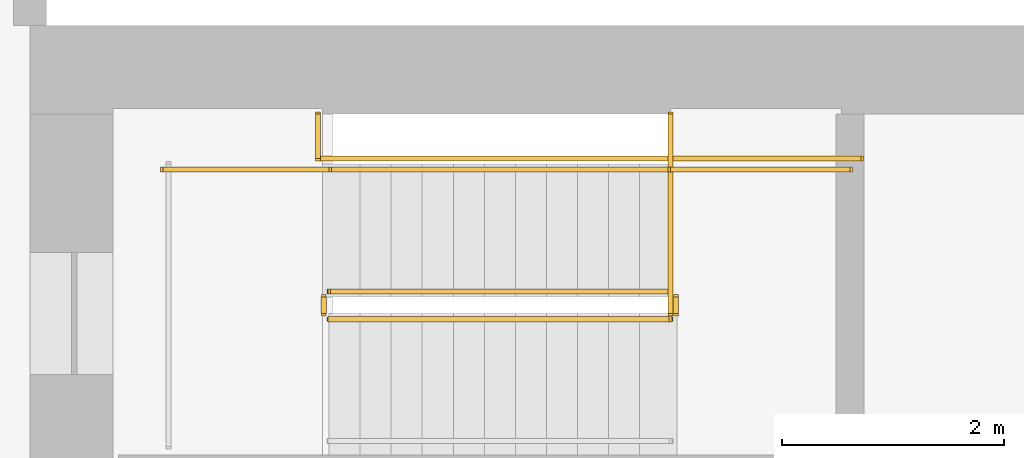
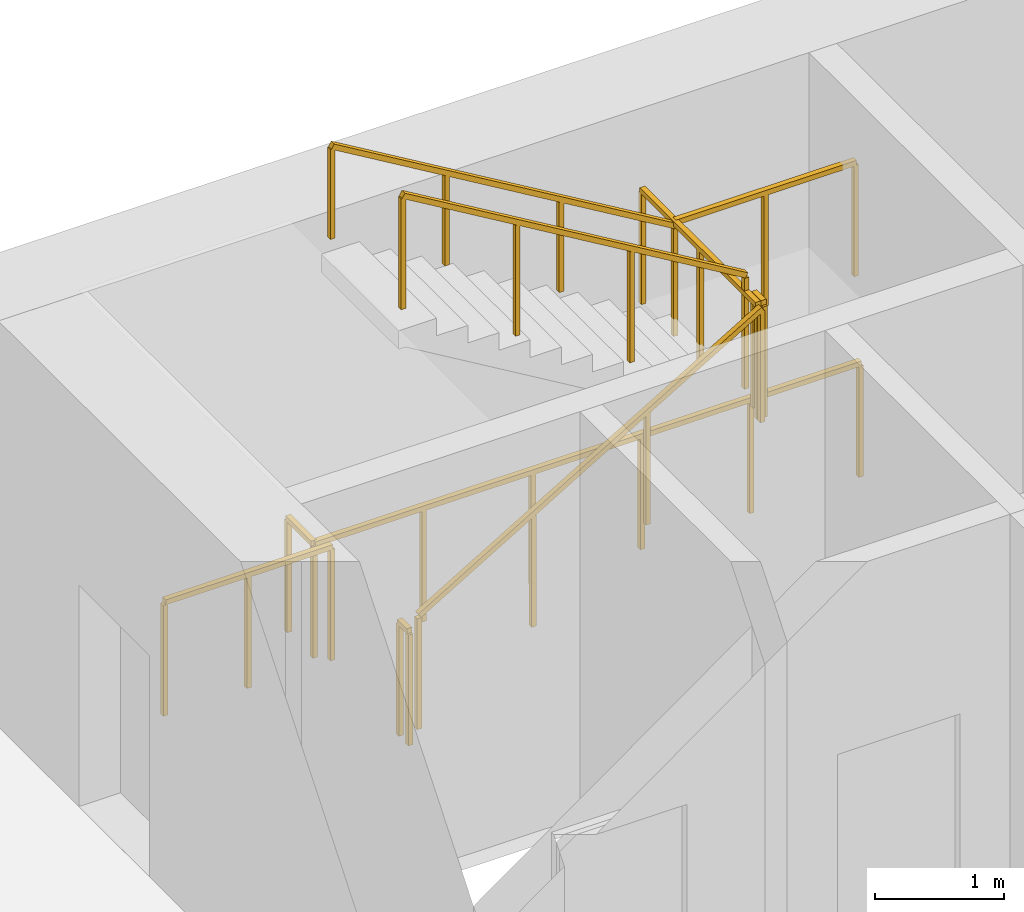
# One storey, part 12 of 12: 10 railings.
"""IFC4 building model written with IfcOpenShell, lengths in metres."""

from ifc_helpers import new_model, si_unit, direction, frame, origin, origin_2d, place, context, subcontext, project, spatial, rectangle, extrude, material, type_object, element, save


model = new_model("IFC4")

# Units and contexts
model_context = context("Model", 3, precision=1e-05, world=origin(), true_north=direction((0.0, 1.0)))
body_context = subcontext(model_context, "Body", "Model", "MODEL_VIEW")
ifc_project = project(units=[si_unit("LENGTHUNIT", "METRE"), si_unit("AREAUNIT", "SQUARE_METRE"), si_unit("VOLUMEUNIT", "CUBIC_METRE"), si_unit("PLANEANGLEUNIT", "RADIAN"), si_unit("MASSUNIT", "GRAM", prefix="KILO")], contexts=[model_context])

# Site, building, storey
site_placement = place(None, origin())
site = spatial("IfcSite", under=ifc_project, at=site_placement, CompositionType="ELEMENT")
building_placement = place(site_placement, origin())
building = spatial("IfcBuilding", under=site, at=building_placement, Name="Sennacour Bend Tower", CompositionType="ELEMENT")
storey_placement = place(building_placement, frame((0.0, 0.0, 261.0)))
storey = spatial("IfcBuildingStorey", under=building, at=storey_placement, Name="L60", CompositionType="ELEMENT", Elevation=261.0)

# Railings
ifc_material = material(Name="Stainless steel", Category="steel")
railing_type_1 = type_object("IfcRailingType", Name="RL-GUARD-1100", PredefinedType="GUARDRAIL", material=ifc_material)
railing_1_placement = place(storey_placement, frame((56.699951171875, 19.85009765625, 0.166748046875)))
element("IfcRailing", 1, at=railing_1_placement, inside=storey, type_object=railing_type_1, Name="L60 SA2 stair guard 1", PredefinedType="GUARDRAIL", context=body_context, shape_type="SweptSolid", body=[
    extrude(rectangle(XDim=0.048095703125, YDim=0.048095703125, at=origin_2d()), frame((0.0, 0.0, 1.076171875), z_axis=(0.859308565015, 0.0, 0.511457515432), x_axis=(0.0, 1.0, 0.0)), (0.0, 0.0, 1.0), 3.58447265625),
    extrude(rectangle(XDim=0.0419921875, YDim=0.0419921875, at=origin_2d()), origin(), (0.0, 0.0, 1.0), 1.052001953125),
    extrude(rectangle(XDim=0.0419921875, YDim=0.0419921875, at=origin_2d()), frame((1.026611328125, 0.0, 0.611083984375)), (0.0, 0.0, 1.0), 1.052001953125),
    extrude(rectangle(XDim=0.0419921875, YDim=0.0419921875, at=origin_2d()), frame((2.053466796875, 0.0, 1.22216796875)), (0.0, 0.0, 1.0), 1.052001953125),
    extrude(rectangle(XDim=0.0419921875, YDim=0.0419921875, at=origin_2d()), frame((3.080078125, 0.0, 1.833251953125)), (0.0, 0.0, 1.0), 1.052001953125),
])
railing_2_placement = place(storey_placement, frame((59.830078125, 19.89990234375, 2.0)))
element("IfcRailing", 2, at=railing_2_placement, inside=storey, type_object=railing_type_1, Name="L60 SA2 stair guard 2", PredefinedType="GUARDRAIL", context=body_context, shape_type="SweptSolid", body=[
    extrude(rectangle(XDim=0.048095703125, YDim=0.048095703125, at=origin_2d()), frame((0.0, 0.0, 1.076171875), z_axis=(0.0, 1.0, 0.0), x_axis=(-1.0, 0.0, 0.0)), (0.0, 0.0, 1.0), 0.150146484375),
    extrude(rectangle(XDim=0.0419921875, YDim=0.0419921875, at=origin_2d()), origin(), (0.0, 0.0, 1.0), 1.052001953125),
    extrude(rectangle(XDim=0.0419921875, YDim=0.0419921875, at=origin_2d()), frame((0.0, 0.150146484375, 0.0)), (0.0, 0.0, 1.0), 1.052001953125),
])
railing_3_placement = place(storey_placement, frame((59.780029296875, 21.199951171875, 2.0)))
element("IfcRailing", 3, at=railing_3_placement, inside=storey, type_object=railing_type_1, Name="L60 SA2 stair guard 3", PredefinedType="GUARDRAIL", context=body_context, shape_type="SweptSolid", body=[
    extrude(rectangle(XDim=0.048095703125, YDim=0.048095703125, at=origin_2d()), frame((0.0, 0.0, 1.076171875), z_axis=(1.0, 0.0, 0.0), x_axis=(0.0, 1.0, 0.0)), (0.0, 0.0, 1.0), 1.619873046875),
    extrude(rectangle(XDim=0.0419921875, YDim=0.0419921875, at=origin_2d()), origin(), (0.0, 0.0, 1.0), 1.052001953125),
    extrude(rectangle(XDim=0.0419921875, YDim=0.0419921875, at=origin_2d()), frame((0.81005859375, 0.0, 0.0)), (0.0, 0.0, 1.0), 1.052001953125),
    extrude(rectangle(XDim=0.0419921875, YDim=0.0419921875, at=origin_2d()), frame((1.619873046875, 0.0, 0.0)), (0.0, 0.0, 1.0), 1.052001953125),
])
railing_4_placement = place(storey_placement, frame((59.780029296875, 20.10009765625, 2.166748046875)))
element("IfcRailing", 4, at=railing_4_placement, inside=storey, type_object=railing_type_1, Name="L60 SA2 stair guard 4", PredefinedType="GUARDRAIL", context=body_context, shape_type="SweptSolid", body=[
    extrude(rectangle(XDim=0.048095703125, YDim=0.048095703125, at=origin_2d()), frame((0.0, 0.0, 1.076171875), z_axis=(-0.859308565015, 0.0, 0.511457515432), x_axis=(0.0, -1.0, 0.0)), (0.0, 0.0, 1.0), 3.58447265625),
    extrude(rectangle(XDim=0.0419921875, YDim=0.0419921875, at=origin_2d()), origin(), (0.0, 0.0, 1.0), 1.052001953125),
    extrude(rectangle(XDim=0.0419921875, YDim=0.0419921875, at=origin_2d()), frame((-1.026611328125, 0.0, 0.611083984375)), (0.0, 0.0, 1.0), 1.052001953125),
    extrude(rectangle(XDim=0.0419921875, YDim=0.0419921875, at=origin_2d()), frame((-2.053466796875, 0.0, 1.22216796875)), (0.0, 0.0, 1.0), 1.052001953125),
    extrude(rectangle(XDim=0.0419921875, YDim=0.0419921875, at=origin_2d()), frame((-3.080078125, 0.0, 1.833251953125)), (0.0, 0.0, 1.0), 1.052001953125),
])
railing_5_placement = place(storey_placement, frame((56.64990234375, 19.89990234375, 0.0)))
element("IfcRailing", 5, at=railing_5_placement, inside=storey, type_object=railing_type_1, Name="L60 SA2 stair guard 5", PredefinedType="GUARDRAIL", context=body_context, shape_type="SweptSolid", body=[
    extrude(rectangle(XDim=0.048095703125, YDim=0.048095703125, at=origin_2d()), frame((0.0, 0.0, 1.076171875), z_axis=(0.0, 1.0, 0.0), x_axis=(-1.0, 0.0, 0.0)), (0.0, 0.0, 1.0), 0.150146484375),
    extrude(rectangle(XDim=0.0419921875, YDim=0.0419921875, at=origin_2d()), origin(), (0.0, 0.0, 1.0), 1.052001953125),
    extrude(rectangle(XDim=0.0419921875, YDim=0.0419921875, at=origin_2d()), frame((0.0, 0.150146484375, 0.0)), (0.0, 0.0, 1.0), 1.052001953125),
])
railing_6_placement = place(storey_placement, frame((55.199951171875, 21.199951171875, 0.0)))
element("IfcRailing", 6, at=railing_6_placement, inside=storey, type_object=railing_type_1, Name="L60 SA2 stair guard 6", PredefinedType="GUARDRAIL", context=body_context, shape_type="SweptSolid", body=[
    extrude(rectangle(XDim=0.048095703125, YDim=0.048095703125, at=origin_2d()), frame((0.0, 0.0, 1.076171875), z_axis=(1.0, 0.0, 0.0), x_axis=(0.0, 1.0, 0.0)), (0.0, 0.0, 1.0), 1.5),
    extrude(rectangle(XDim=0.0419921875, YDim=0.0419921875, at=origin_2d()), origin(), (0.0, 0.0, 1.0), 1.052001953125),
    extrude(rectangle(XDim=0.0419921875, YDim=0.0419921875, at=origin_2d()), frame((0.75, 0.0, 0.0)), (0.0, 0.0, 1.0), 1.052001953125),
    extrude(rectangle(XDim=0.0419921875, YDim=0.0419921875, at=origin_2d()), frame((1.5, 0.0, 0.0)), (0.0, 0.0, 1.0), 1.052001953125),
])
railing_7_placement = place(storey_placement, frame((56.60009765625, 21.300048828125, 0.0)))
element("IfcRailing", 7, at=railing_7_placement, inside=storey, type_object=railing_type_1, Name="L60 SA2 stair guard 8", PredefinedType="GUARDRAIL", context=body_context, shape_type="SweptSolid", body=[
    extrude(rectangle(XDim=0.048095703125, YDim=0.048095703125, at=origin_2d()), frame((0.0, 0.0, 1.076171875), z_axis=(1.0, 0.0, 0.0), x_axis=(0.0, 1.0, 0.0)), (0.0, 0.0, 1.0), 4.89990234375),
    extrude(rectangle(XDim=0.0419921875, YDim=0.0419921875, at=origin_2d()), origin(), (0.0, 0.0, 1.0), 1.052001953125),
    extrude(rectangle(XDim=0.0419921875, YDim=0.0419921875, at=origin_2d()), frame((0.97998046875, 0.0, 0.0)), (0.0, 0.0, 1.0), 1.052001953125),
    extrude(rectangle(XDim=0.0419921875, YDim=0.0419921875, at=origin_2d()), frame((1.9599609375, 0.0, 0.0)), (0.0, 0.0, 1.0), 1.052001953125),
    extrude(rectangle(XDim=0.0419921875, YDim=0.0419921875, at=origin_2d()), frame((2.93994140625, 0.0, 0.0)), (0.0, 0.0, 1.0), 1.052001953125),
    extrude(rectangle(XDim=0.0419921875, YDim=0.0419921875, at=origin_2d()), frame((3.919921875, 0.0, 0.0)), (0.0, 0.0, 1.0), 1.052001953125),
    extrude(rectangle(XDim=0.0419921875, YDim=0.0419921875, at=origin_2d()), frame((4.89990234375, 0.0, 0.0)), (0.0, 0.0, 1.0), 1.052001953125),
])
railing_8_placement = place(storey_placement, frame((59.780029296875, 19.89990234375, 2.0)))
element("IfcRailing", 8, at=railing_8_placement, inside=storey, type_object=railing_type_1, Name="L60 SA2 landing edge guard 80", PredefinedType="GUARDRAIL", context=body_context, shape_type="SweptSolid", body=[
    extrude(rectangle(XDim=0.048095703125, YDim=0.048095703125, at=origin_2d()), frame((0.0, 0.0, 1.076171875), z_axis=(0.0, 1.0, 0.0), x_axis=(-1.0, 0.0, 0.0)), (0.0, 0.0, 1.0), 1.800048828125),
    extrude(rectangle(XDim=0.0419921875, YDim=0.0419921875, at=origin_2d()), origin(), (0.0, 0.0, 1.0), 1.052001953125),
    extrude(rectangle(XDim=0.0419921875, YDim=0.0419921875, at=origin_2d()), frame((0.0, 0.89990234375, 0.0)), (0.0, 0.0, 1.0), 1.052001953125),
    extrude(rectangle(XDim=0.0419921875, YDim=0.0419921875, at=origin_2d()), frame((0.0, 1.800048828125, 0.0)), (0.0, 0.0, 1.0), 1.052001953125),
])
railing_9_placement = place(storey_placement, frame((56.60009765625, 21.300048828125, 0.0)))
element("IfcRailing", 9, at=railing_9_placement, inside=storey, type_object=railing_type_1, Name="L60 SA2 landing edge guard 114", PredefinedType="GUARDRAIL", context=body_context, shape_type="SweptSolid", body=[
    extrude(rectangle(XDim=0.048095703125, YDim=0.048095703125, at=origin_2d()), frame((0.0, 0.0, 1.076171875), z_axis=(0.0, 1.0, 0.0), x_axis=(-1.0, 0.0, 0.0)), (0.0, 0.0, 1.0), 0.39990234375),
    extrude(rectangle(XDim=0.0419921875, YDim=0.0419921875, at=origin_2d()), origin(), (0.0, 0.0, 1.0), 1.052001953125),
    extrude(rectangle(XDim=0.0419921875, YDim=0.0419921875, at=origin_2d()), frame((0.0, 0.39990234375, 0.0)), (0.0, 0.0, 1.0), 1.052001953125),
])
railing_type_2 = type_object("IfcRailingType", Name="RL-HANDRAIL-900", PredefinedType="HANDRAIL", material=ifc_material)
railing_10_placement = place(storey_placement, frame((59.780029296875, 21.199951171875, 2.166748046875)))
element("IfcRailing", 10, at=railing_10_placement, inside=storey, type_object=railing_type_2, Name="L60 SA2 stair handrail 2", PredefinedType="HANDRAIL", context=body_context, shape_type="SweptSolid", body=[
    extrude(rectangle(XDim=0.048095703125, YDim=0.048095703125, at=origin_2d()), frame((0.0, 0.0, 0.8759765625), z_axis=(-0.859308565015, 0.0, 0.511457515432), x_axis=(0.0, -1.0, 0.0)), (0.0, 0.0, 1.0), 3.58447265625),
    extrude(rectangle(XDim=0.0419921875, YDim=0.0419921875, at=origin_2d()), origin(), (0.0, 0.0, 1.0), 0.851806640625),
    extrude(rectangle(XDim=0.0419921875, YDim=0.0419921875, at=origin_2d()), frame((-1.026611328125, 0.0, 0.611083984375)), (0.0, 0.0, 1.0), 0.851806640625),
    extrude(rectangle(XDim=0.0419921875, YDim=0.0419921875, at=origin_2d()), frame((-2.053466796875, 0.0, 1.22216796875)), (0.0, 0.0, 1.0), 0.851806640625),
    extrude(rectangle(XDim=0.0419921875, YDim=0.0419921875, at=origin_2d()), frame((-3.080078125, 0.0, 1.833251953125)), (0.0, 0.0, 1.0), 0.851806640625),
])

save(model, "model.ifc")
